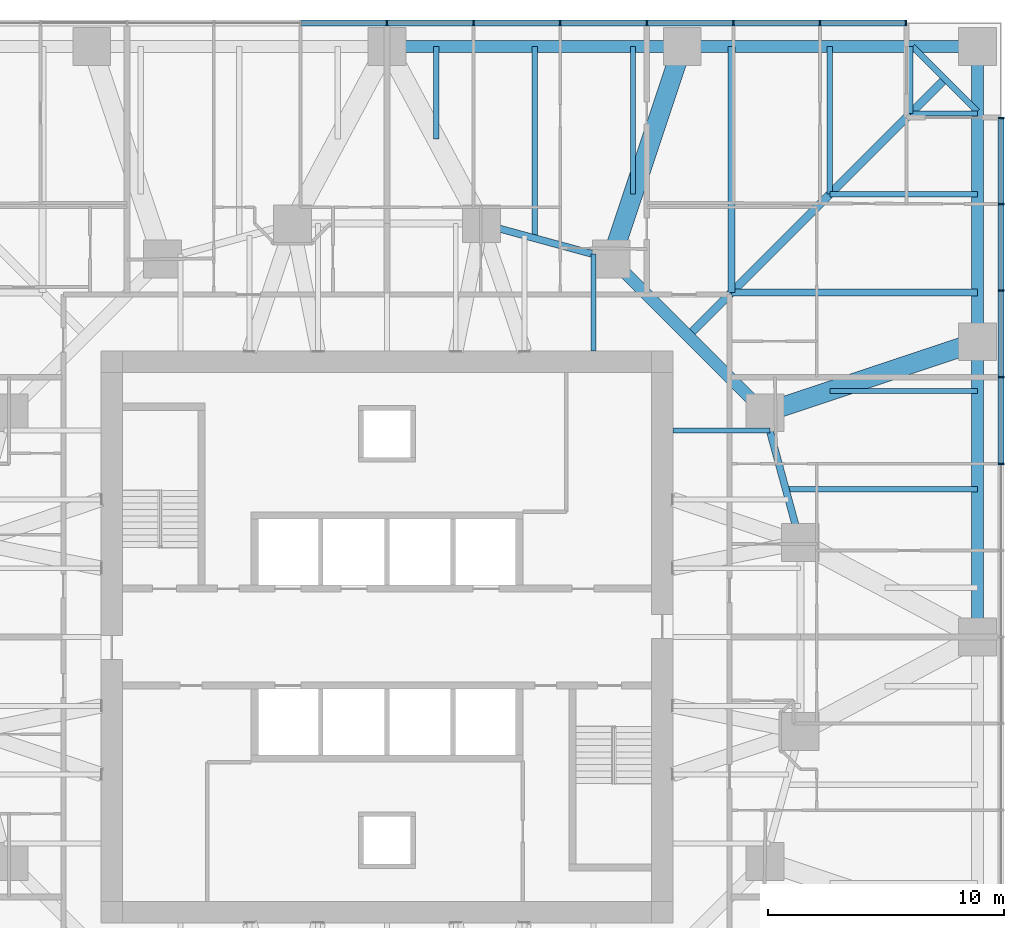
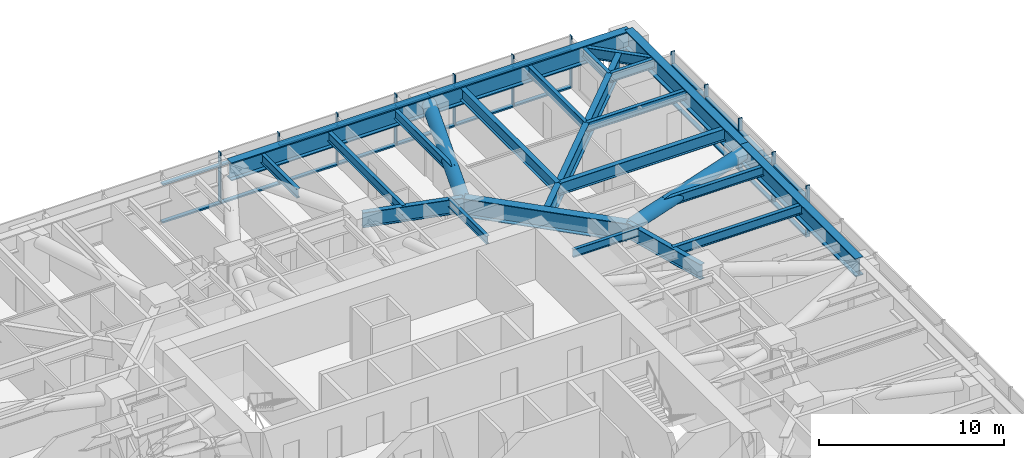
# One storey, part 7 of 17: 36 members, 22 beams, 2 elements without a shape of their own.
"""IFC4 building model written with IfcOpenShell, lengths in metres."""

import ifcopenshell
import ifcopenshell.guid

model = None  # the IFC model being written
_history = None  # IfcOwnerHistory: only IFC2X3 demands one
_inside = {}  # id of a spatial element -> (the spatial element, [elements in it])
_under = {}  # id of a project, library or spatial element -> (it, [spatial elements below it])
_declared = {}  # id of a project -> (the project, [libraries it declares])
_typed = {}  # id of a type object -> (the type object, [elements of that type])
_made_of = {}  # id of a material, layer set ... -> (it, [elements and type objects made of it])


def new_model(schema):
    """Start an empty IFC model of exactly this schema.

    Asked for "IFC4X3", IfcOpenShell would pick the latest addendum, in which some entities
    have other attributes; the version numbers below select the first issue.
    IFC2X3 requires an IfcOwnerHistory on every rooted entity: one is made here for all.
    """
    global model, _history
    if schema == "IFC4X3":
        model = ifcopenshell.file(schema_version=(4, 3, 0, 0))
    else:
        model = ifcopenshell.file(schema=schema)
    _inside.clear()
    _under.clear()
    _declared.clear()
    _typed.clear()
    _made_of.clear()
    _history = None
    if model.schema == "IFC2X3":
        org = make("IfcOrganization", Name="unknown")
        user = make(
            "IfcPersonAndOrganization",
            ThePerson=make("IfcPerson", FamilyName="unknown"),
            TheOrganization=org,
        )
        app = make(
            "IfcApplication",
            ApplicationDeveloper=org,
            Version="unknown",
            ApplicationFullName="unknown",
            ApplicationIdentifier="unknown",
        )
        _history = make(
            "IfcOwnerHistory",
            OwningUser=user,
            OwningApplication=app,
            ChangeAction="ADDED",
            CreationDate=0,
        )
    return model


def make(cls, **values):
    """One entity of the class cls with the attributes given. An attribute that is None is left unset."""
    return model.create_entity(
        cls, **{name: value for name, value in values.items() if value is not None}
    )


def rooted(cls, **values):
    """An entity with a GlobalId (a new one), such as an element, a storey or a relation."""
    return make(cls, GlobalId=ifcopenshell.guid.new(), OwnerHistory=_history, **values)


def si_unit(unit_type, name, prefix=None):
    """IfcSIUnit, for example si_unit("LENGTHUNIT", "METRE", prefix="MILLI")."""
    return make("IfcSIUnit", UnitType=unit_type, Prefix=prefix, Name=name)


def assignment(units):
    """IfcUnitAssignment: the units of a project."""
    return None if units is None else make("IfcUnitAssignment", Units=units)


def point(xyz):
    """IfcCartesianPoint."""
    return None if xyz is None else make("IfcCartesianPoint", Coordinates=xyz)


def direction(xyz):
    """IfcDirection."""
    return None if xyz is None else make("IfcDirection", DirectionRatios=xyz)


def frame(location, z_axis=None, x_axis=None):
    """IfcAxis2Placement3D, a coordinate frame: its origin and axes. An axis left out is left unset."""
    return make(
        "IfcAxis2Placement3D",
        Location=point(location),
        Axis=direction(z_axis),
        RefDirection=direction(x_axis),
    )


def frame_2d(location, x_axis=None):
    """IfcAxis2Placement2D, a coordinate frame in the plane: its origin and x axis."""
    return make(
        "IfcAxis2Placement2D", Location=point(location), RefDirection=direction(x_axis)
    )


def origin():
    """The frame at (0, 0, 0) with its axes left unset."""
    return frame((0.0, 0.0, 0.0))


def origin_2d():
    """The frame at (0, 0) in the plane with its x axis left unset."""
    return frame_2d((0.0, 0.0))


def place(relative_to, where):
    """IfcLocalPlacement: puts the frame where relative to a parent placement (None: the world)."""
    return make(
        "IfcLocalPlacement", PlacementRelTo=relative_to, RelativePlacement=where
    )


def context(
    kind, dimensions, precision=None, world=None, true_north=None, identifier=None
):
    """IfcGeometricRepresentationContext, for example the 3D "Model" context."""
    return make(
        "IfcGeometricRepresentationContext",
        ContextIdentifier=identifier,
        ContextType=kind,
        CoordinateSpaceDimension=dimensions,
        Precision=precision,
        WorldCoordinateSystem=world,
        TrueNorth=true_north,
    )


def subcontext(parent, identifier, kind, view, scale=None):
    """IfcGeometricRepresentationSubContext, for example "Body" below "Model"."""
    return make(
        "IfcGeometricRepresentationSubContext",
        ContextIdentifier=identifier,
        ContextType=kind,
        ParentContext=parent,
        TargetScale=scale,
        TargetView=view,
    )


def project(units=None, contexts=None):
    """IfcProject with its units and contexts."""
    return rooted(
        "IfcProject",
        Name="project",
        RepresentationContexts=contexts,
        UnitsInContext=assignment(units),
    )


def spatial(cls, under=None, at=None, **own):
    """A site, building, storey or space (cls), placed at a placement, below another one or the project."""
    s = rooted(cls, ObjectPlacement=at, **own)
    if under is not None:
        _under.setdefault(under.id(), (under, []))[1].append(s)
    return s


def profile(cls, at=None, kind="AREA", **sizes):
    """A parametric profile (cls). Its sizes go by their IFC names, for example OverallWidth=200.0."""
    return make(cls, ProfileType=kind, Position=at, **sizes)


def rectangle(**sizes):
    """IfcRectangleProfileDef."""
    return profile("IfcRectangleProfileDef", **sizes)


def hollow_circle(**sizes):
    """IfcCircleHollowProfileDef."""
    return profile("IfcCircleHollowProfileDef", **sizes)


def i_section(**sizes):
    """IfcIShapeProfileDef."""
    return profile("IfcIShapeProfileDef", **sizes)


def extrude(swept, where, along, depth):
    """IfcExtrudedAreaSolid: the profile swept, set in the frame where, extruded along a direction by depth."""
    return make(
        "IfcExtrudedAreaSolid",
        SweptArea=swept,
        Position=where,
        ExtrudedDirection=direction(along),
        Depth=depth,
    )


def shape(context_of_items, identifier, shape_type, items):
    """IfcShapeRepresentation: the items that make up one representation, for example the "Body"."""
    return make(
        "IfcShapeRepresentation",
        ContextOfItems=context_of_items,
        RepresentationIdentifier=identifier,
        RepresentationType=shape_type,
        Items=items,
    )


def material(Name=None, Category=None):
    """IfcMaterial."""
    return make("IfcMaterial", Name=Name, Category=Category)


def material_profile(
    of_material, cross_section, Name=None, Category=None, Priority=None
):
    """IfcMaterialProfile: a cross section and its material."""
    return make(
        "IfcMaterialProfile",
        Name=Name,
        Material=of_material,
        Profile=cross_section,
        Priority=Priority,
        Category=Category,
    )


def profile_set(profiles, Name=None, composite=None):
    """IfcMaterialProfileSet."""
    return make(
        "IfcMaterialProfileSet",
        Name=Name,
        MaterialProfiles=profiles,
        CompositeProfile=composite,
    )


def made_of(thing, what):
    """Note that an element or type object is made of a material, layer set ...; save() writes the relation."""
    if what is not None:
        _made_of.setdefault(what.id(), (what, []))[1].append(thing)
    return thing


def type_object(cls, material=None, **own):
    """A type object (cls), such as IfcWallType, which elements share."""
    return made_of(rooted(cls, **own), material)


def element(
    cls,
    number,
    at=None,
    inside=None,
    cuts=None,
    type_object=None,
    material=None,
    context=None,
    identifier="Body",
    shape_type=None,
    held_by="IfcProductDefinitionShape",
    body=None,
    shapes=None,
    **own,
):
    """One element of the class cls, such as IfcWall. Its Tag is "e" and its number.

    at: its placement. inside: the storey or other place that contains it. cuts: it is an
    opening in that element (IfcRelVoidsElement). A single representation is given by context,
    identifier, shape_type and body (its items); several are given by shapes. held_by: the class
    of the entity that holds the representations. save() writes the other relations.
    """
    e = rooted(cls, Tag="e%d" % number, ObjectPlacement=at, **own)
    if body is not None:
        shapes = [shape(context, identifier, shape_type, body)]
    if shapes is not None:
        e.Representation = make(held_by, Representations=shapes)
    if inside is not None:
        _inside.setdefault(inside.id(), (inside, []))[1].append(e)
    if cuts is not None:
        rooted(
            "IfcRelVoidsElement", RelatingBuildingElement=cuts, RelatedOpeningElement=e
        )
    if type_object is not None:
        _typed.setdefault(type_object.id(), (type_object, []))[1].append(e)
    return made_of(e, material)


def aggregate(whole, parts):
    """IfcRelAggregates: a whole, such as a stair, and the parts it consists of."""
    return rooted("IfcRelAggregates", RelatingObject=whole, RelatedObjects=parts)


def save(model, path):
    """Write the relations noted so far, then the file.

    IfcRelAggregates (storeys below a building ...), IfcRelContainedInSpatialStructure (elements
    in a storey), IfcRelDefinesByType, IfcRelAssociatesMaterial and IfcRelDeclares: one each for
    every whole, place, type object, material and project.
    """
    for whole, parts in _under.values():
        aggregate(whole, parts)
    for where, things in _inside.values():
        rooted(
            "IfcRelContainedInSpatialStructure",
            RelatedElements=things,
            RelatingStructure=where,
        )
    for kind, things in _typed.values():
        rooted("IfcRelDefinesByType", RelatedObjects=things, RelatingType=kind)
    for what, things in _made_of.values():
        rooted("IfcRelAssociatesMaterial", RelatedObjects=things, RelatingMaterial=what)
    for by, libraries in _declared.values():
        rooted("IfcRelDeclares", RelatingContext=by, RelatedDefinitions=libraries)
    model.write(path)


model = new_model("IFC4")

# Units and contexts
model_context = context("Model", 3, precision=1e-05, world=origin(), true_north=direction((0.0, 1.0)))
body_context = subcontext(model_context, "Body", "Model", "MODEL_VIEW")
ifc_project = project(units=[si_unit("LENGTHUNIT", "METRE"), si_unit("AREAUNIT", "SQUARE_METRE"), si_unit("VOLUMEUNIT", "CUBIC_METRE"), si_unit("PLANEANGLEUNIT", "RADIAN"), si_unit("MASSUNIT", "GRAM", prefix="KILO")], contexts=[model_context])

# Site, building, storey
site_placement = place(None, origin())
site = spatial("IfcSite", under=ifc_project, at=site_placement, CompositionType="ELEMENT")
building_placement = place(site_placement, origin())
building = spatial("IfcBuilding", under=site, at=building_placement, Name="Torsade Residences", CompositionType="ELEMENT")
storey_placement = place(building_placement, frame((0.0, 0.0, 38.800048828125)))
storey = spatial("IfcBuildingStorey", under=building, at=storey_placement, Name="L10", CompositionType="ELEMENT", Elevation=38.800048828125)

# Beams
ifc_material_1 = material(Name="Steel grade 300", Category="steel")
ifc_material_profile_1 = material_profile(ifc_material_1, i_section(OverallWidth=0.35009765625, OverallDepth=1.199951171875, WebThickness=0.01611328125, FlangeThickness=0.028076171875, at=origin_2d()), Name="1200WB278")
ifc_profile_set_1 = profile_set([ifc_material_profile_1], Name="Steel grade 300")
beam_type_1 = type_object("IfcBeamType", Name="CORNER GIRDER 1200WB278", PredefinedType="BEAM", material=ifc_profile_set_1)
beam_1_placement = place(storey_placement, frame((63.625, 53.625, 2.599853515625), z_axis=(-0.707106781187, -0.707106781187, 0.0), x_axis=(0.707106781187, -0.707106781187, 0.0)))
element("IfcBeam", 1, at=beam_1_placement, inside=storey, type_object=beam_type_1, Name="Corner girder 09 L11", PredefinedType="BEAM", context=body_context, shape_type="SweptSolid", body=[
    extrude(i_section(OverallWidth=0.35009765625, OverallDepth=1.199951171875, WebThickness=0.01611328125, FlangeThickness=0.028076171875, at=origin_2d()), origin(), (0.0, 0.0, 1.0), 15.379638671875),
])
ifc_material_2 = material(Name="Steel grade 300", Category="steel")
ifc_material_profile_2 = material_profile(ifc_material_2, i_section(OverallWidth=0.25, OverallDepth=0.699951171875, WebThickness=0.010009765625, FlangeThickness=0.02001953125, at=origin_2d()), Name="700WB130")
ifc_profile_set_2 = profile_set([ifc_material_profile_2], Name="Steel grade 300")
beam_type_2 = type_object("IfcBeamType", Name="CORNER TRIMMER 700WB130", PredefinedType="BEAM", material=ifc_profile_set_2)
beam_2_placement = place(storey_placement, frame((62.25, 55.0, 2.849853515625), z_axis=(0.707106781187, -0.707106781187, 0.0), x_axis=(0.707106781187, 0.707106781187, 0.0)))
element("IfcBeam", 2, at=beam_2_placement, inside=storey, type_object=beam_type_2, Name="Corner trimmer 09 L11", PredefinedType="BEAM", context=body_context, shape_type="SweptSolid", body=[
    extrude(i_section(OverallWidth=0.25, OverallDepth=0.699951171875, WebThickness=0.010009765625, FlangeThickness=0.02001953125, at=origin_2d()), origin(), (0.0, 0.0, 1.0), 3.88916015625),
])

# Curtain wall, members
ifc_material_3 = material(Name="Aluminium and glass", Category="aluminium")
curtain_wall_type = type_object("IfcCurtainWallType", Name="FRITTED GLASS CURTAIN WALL LOW ZONE", PredefinedType="NOTDEFINED", material=ifc_material_3)
curtain_wall_1_placement = place(storey_placement, origin())
curtain_wall_1 = element("IfcCurtainWall", 3, at=curtain_wall_1_placement, inside=storey, type_object=curtain_wall_type, Name="Curtain wall L10 face 4", PredefinedType="NOTDEFINED")
ifc_material_4 = material(Name="Aluminium mullion", Category="aluminium")
ifc_material_profile_3 = material_profile(ifc_material_4, rectangle(XDim=0.25, YDim=0.06494140625, at=origin_2d()), Name="CURTAIN WALL MULLION 250x65")
ifc_profile_set_3 = profile_set([ifc_material_profile_3], Name="Aluminium mullion")
member_type_1 = type_object("IfcMemberType", Name="CURTAIN WALL MULLION 250x65", PredefinedType="MULLION", material=ifc_profile_set_3)
member_1_placement = place(storey_placement, frame((66.0, 37.333251953125, 0.0), z_axis=(0.0, 0.0, 1.0), x_axis=(-1.0, 0.0, 0.0)))
member_1 = element("IfcMember", 4, at=member_1_placement, type_object=member_type_1, Name="Mullion 9", PredefinedType="MULLION", context=body_context, shape_type="SweptSolid", body=[
    extrude(rectangle(XDim=0.25, YDim=0.06494140625, at=origin_2d()), origin(), (0.0, 0.0, 1.0), 3.39990234375),
])
member_2_placement = place(storey_placement, frame((66.0, 41.0, 0.0), z_axis=(0.0, 0.0, 1.0), x_axis=(-1.0, 0.0, 0.0)))
member_2 = element("IfcMember", 5, at=member_2_placement, type_object=member_type_1, Name="Mullion 10", PredefinedType="MULLION", context=body_context, shape_type="SweptSolid", body=[
    extrude(rectangle(XDim=0.25, YDim=0.06494140625, at=origin_2d()), origin(), (0.0, 0.0, 1.0), 3.39990234375),
])
member_3_placement = place(storey_placement, frame((66.0, 44.666748046875, 0.0), z_axis=(0.0, 0.0, 1.0), x_axis=(-1.0, 0.0, 0.0)))
member_3 = element("IfcMember", 6, at=member_3_placement, type_object=member_type_1, Name="Mullion 11", PredefinedType="MULLION", context=body_context, shape_type="SweptSolid", body=[
    extrude(rectangle(XDim=0.25, YDim=0.06494140625, at=origin_2d()), origin(), (0.0, 0.0, 1.0), 3.39990234375),
])
member_4_placement = place(storey_placement, frame((66.0, 48.333251953125, 0.0), z_axis=(0.0, 0.0, 1.0), x_axis=(-1.0, 0.0, 0.0)))
member_4 = element("IfcMember", 7, at=member_4_placement, type_object=member_type_1, Name="Mullion 12", PredefinedType="MULLION", context=body_context, shape_type="SweptSolid", body=[
    extrude(rectangle(XDim=0.25, YDim=0.06494140625, at=origin_2d()), origin(), (0.0, 0.0, 1.0), 3.39990234375),
])
member_5_placement = place(storey_placement, frame((66.0, 51.967529296875, 0.0), z_axis=(0.0, 0.0, 1.0), x_axis=(-1.0, 0.0, 0.0)))
member_5 = element("IfcMember", 8, at=member_5_placement, type_object=member_type_1, Name="Mullion 13", PredefinedType="MULLION", context=body_context, shape_type="SweptSolid", body=[
    extrude(rectangle(XDim=0.25, YDim=0.06494140625, at=origin_2d()), origin(), (0.0, 0.0, 1.0), 3.39990234375),
])

curtain_wall_2_placement = place(storey_placement, origin())
curtain_wall_2 = element("IfcCurtainWall", 9, at=curtain_wall_2_placement, inside=storey, type_object=curtain_wall_type, Name="Curtain wall L10 face 7", PredefinedType="NOTDEFINED")
member_6_placement = place(storey_placement, frame((61.967529296875, 56.0, 0.0), z_axis=(0.0, 0.0, 1.0), x_axis=(0.0, -1.0, 0.0)))
member_6 = element("IfcMember", 10, at=member_6_placement, type_object=member_type_1, Name="Mullion 1", PredefinedType="MULLION", context=body_context, shape_type="SweptSolid", body=[
    extrude(rectangle(XDim=0.25, YDim=0.06494140625, at=origin_2d()), origin(), (0.0, 0.0, 1.0), 3.39990234375),
])
member_7_placement = place(storey_placement, frame((58.333251953125, 56.0, 0.0), z_axis=(0.0, 0.0, 1.0), x_axis=(0.0, -1.0, 0.0)))
member_7 = element("IfcMember", 11, at=member_7_placement, type_object=member_type_1, Name="Mullion 2", PredefinedType="MULLION", context=body_context, shape_type="SweptSolid", body=[
    extrude(rectangle(XDim=0.25, YDim=0.06494140625, at=origin_2d()), origin(), (0.0, 0.0, 1.0), 3.39990234375),
])
member_8_placement = place(storey_placement, frame((54.666748046875, 56.0, 0.0), z_axis=(0.0, 0.0, 1.0), x_axis=(0.0, -1.0, 0.0)))
member_8 = element("IfcMember", 12, at=member_8_placement, type_object=member_type_1, Name="Mullion 3", PredefinedType="MULLION", context=body_context, shape_type="SweptSolid", body=[
    extrude(rectangle(XDim=0.25, YDim=0.06494140625, at=origin_2d()), origin(), (0.0, 0.0, 1.0), 3.39990234375),
])
member_9_placement = place(storey_placement, frame((51.0, 56.0, 0.0), z_axis=(0.0, 0.0, 1.0), x_axis=(0.0, -1.0, 0.0)))
member_9 = element("IfcMember", 13, at=member_9_placement, type_object=member_type_1, Name="Mullion 4", PredefinedType="MULLION", context=body_context, shape_type="SweptSolid", body=[
    extrude(rectangle(XDim=0.25, YDim=0.06494140625, at=origin_2d()), origin(), (0.0, 0.0, 1.0), 3.39990234375),
])
member_10_placement = place(storey_placement, frame((47.333251953125, 56.0, 0.0), z_axis=(0.0, 0.0, 1.0), x_axis=(0.0, -1.0, 0.0)))
member_10 = element("IfcMember", 14, at=member_10_placement, type_object=member_type_1, Name="Mullion 5", PredefinedType="MULLION", context=body_context, shape_type="SweptSolid", body=[
    extrude(rectangle(XDim=0.25, YDim=0.06494140625, at=origin_2d()), origin(), (0.0, 0.0, 1.0), 3.39990234375),
])
member_11_placement = place(storey_placement, frame((43.666748046875, 56.0, 0.0), z_axis=(0.0, 0.0, 1.0), x_axis=(0.0, -1.0, 0.0)))
member_11 = element("IfcMember", 15, at=member_11_placement, type_object=member_type_1, Name="Mullion 6", PredefinedType="MULLION", context=body_context, shape_type="SweptSolid", body=[
    extrude(rectangle(XDim=0.25, YDim=0.06494140625, at=origin_2d()), origin(), (0.0, 0.0, 1.0), 3.39990234375),
])
member_12_placement = place(storey_placement, frame((40.0, 56.0, 0.0), z_axis=(0.0, 0.0, 1.0), x_axis=(0.0, -1.0, 0.0)))
member_12 = element("IfcMember", 16, at=member_12_placement, type_object=member_type_1, Name="Mullion 7", PredefinedType="MULLION", context=body_context, shape_type="SweptSolid", body=[
    extrude(rectangle(XDim=0.25, YDim=0.06494140625, at=origin_2d()), origin(), (0.0, 0.0, 1.0), 3.39990234375),
])

# Member
ifc_material_5 = material(Name="Aluminium transom", Category="aluminium")
ifc_material_profile_4 = material_profile(ifc_material_5, rectangle(XDim=0.25, YDim=0.10009765625, at=origin_2d()), Name="CURTAIN WALL TRANSOM 250x100")
ifc_profile_set_4 = profile_set([ifc_material_profile_4], Name="Aluminium transom")
member_type_2 = type_object("IfcMemberType", Name="CURTAIN WALL TRANSOM 250x100", PredefinedType="USERDEFINED", material=ifc_profile_set_4)
member_13_placement = place(storey_placement, frame((66.0, 37.36572265625, 0.050048828125), z_axis=(0.0, 1.0, 0.0), x_axis=(-1.0, 0.0, 0.0)))
member_13 = element("IfcMember", 17, at=member_13_placement, type_object=member_type_2, Name="Transom 9.1", ObjectType="TRANSOM", PredefinedType="USERDEFINED", context=body_context, shape_type="SweptSolid", body=[
    extrude(rectangle(XDim=0.25, YDim=0.10009765625, at=origin_2d()), origin(), (0.0, 0.0, 1.0), 3.601806640625),
])

member_14_placement = place(storey_placement, frame((66.0, 37.36572265625, 2.550048828125), z_axis=(0.0, 1.0, 0.0), x_axis=(-1.0, 0.0, 0.0)))
member_14 = element("IfcMember", 18, at=member_14_placement, type_object=member_type_2, Name="Transom 9.2", ObjectType="TRANSOM", PredefinedType="USERDEFINED", context=body_context, shape_type="SweptSolid", body=[
    extrude(rectangle(XDim=0.25, YDim=0.10009765625, at=origin_2d()), origin(), (0.0, 0.0, 1.0), 3.601806640625),
])

member_15_placement = place(storey_placement, frame((66.0, 41.032470703125, 0.050048828125), z_axis=(0.0, 1.0, 0.0), x_axis=(-1.0, 0.0, 0.0)))
member_15 = element("IfcMember", 19, at=member_15_placement, type_object=member_type_2, Name="Transom 10.1", ObjectType="TRANSOM", PredefinedType="USERDEFINED", context=body_context, shape_type="SweptSolid", body=[
    extrude(rectangle(XDim=0.25, YDim=0.10009765625, at=origin_2d()), origin(), (0.0, 0.0, 1.0), 3.601806640625),
])

member_16_placement = place(storey_placement, frame((66.0, 41.032470703125, 2.550048828125), z_axis=(0.0, 1.0, 0.0), x_axis=(-1.0, 0.0, 0.0)))
member_16 = element("IfcMember", 20, at=member_16_placement, type_object=member_type_2, Name="Transom 10.2", ObjectType="TRANSOM", PredefinedType="USERDEFINED", context=body_context, shape_type="SweptSolid", body=[
    extrude(rectangle(XDim=0.25, YDim=0.10009765625, at=origin_2d()), origin(), (0.0, 0.0, 1.0), 3.601806640625),
])

member_17_placement = place(storey_placement, frame((66.0, 44.69921875, 0.050048828125), z_axis=(0.0, 1.0, 0.0), x_axis=(-1.0, 0.0, 0.0)))
member_17 = element("IfcMember", 21, at=member_17_placement, type_object=member_type_2, Name="Transom 11.1", ObjectType="TRANSOM", PredefinedType="USERDEFINED", context=body_context, shape_type="SweptSolid", body=[
    extrude(rectangle(XDim=0.25, YDim=0.10009765625, at=origin_2d()), origin(), (0.0, 0.0, 1.0), 3.6015625),
])

member_18_placement = place(storey_placement, frame((66.0, 44.69921875, 2.550048828125), z_axis=(0.0, 1.0, 0.0), x_axis=(-1.0, 0.0, 0.0)))
member_18 = element("IfcMember", 22, at=member_18_placement, type_object=member_type_2, Name="Transom 11.2", ObjectType="TRANSOM", PredefinedType="USERDEFINED", context=body_context, shape_type="SweptSolid", body=[
    extrude(rectangle(XDim=0.25, YDim=0.10009765625, at=origin_2d()), origin(), (0.0, 0.0, 1.0), 3.6015625),
])

member_19_placement = place(storey_placement, frame((66.0, 48.36572265625, 0.050048828125), z_axis=(0.0, 1.0, 0.0), x_axis=(-1.0, 0.0, 0.0)))
member_19 = element("IfcMember", 23, at=member_19_placement, type_object=member_type_2, Name="Transom 12.1", ObjectType="TRANSOM", PredefinedType="USERDEFINED", context=body_context, shape_type="SweptSolid", body=[
    extrude(rectangle(XDim=0.25, YDim=0.10009765625, at=origin_2d()), origin(), (0.0, 0.0, 1.0), 3.5693359375),
])

member_20_placement = place(storey_placement, frame((66.0, 48.36572265625, 2.550048828125), z_axis=(0.0, 1.0, 0.0), x_axis=(-1.0, 0.0, 0.0)))
member_20 = element("IfcMember", 24, at=member_20_placement, type_object=member_type_2, Name="Transom 12.2", ObjectType="TRANSOM", PredefinedType="USERDEFINED", context=body_context, shape_type="SweptSolid", body=[
    extrude(rectangle(XDim=0.25, YDim=0.10009765625, at=origin_2d()), origin(), (0.0, 0.0, 1.0), 3.5693359375),
])

aggregate(curtain_wall_1, [member_1, member_2, member_3, member_4, member_5, member_13, member_14, member_15, member_16, member_17, member_18, member_19, member_20])

member_21_placement = place(storey_placement, frame((61.93505859375, 56.0, 0.050048828125), z_axis=(-1.0, 0.0, 0.0), x_axis=(0.0, -1.0, 0.0)))
member_21 = element("IfcMember", 25, at=member_21_placement, type_object=member_type_2, Name="Transom 1.1", ObjectType="TRANSOM", PredefinedType="USERDEFINED", context=body_context, shape_type="SweptSolid", body=[
    extrude(rectangle(XDim=0.25, YDim=0.10009765625, at=origin_2d()), origin(), (0.0, 0.0, 1.0), 3.5693359375),
])

member_22_placement = place(storey_placement, frame((61.93505859375, 56.0, 2.550048828125), z_axis=(-1.0, 0.0, 0.0), x_axis=(0.0, -1.0, 0.0)))
member_22 = element("IfcMember", 26, at=member_22_placement, type_object=member_type_2, Name="Transom 1.2", ObjectType="TRANSOM", PredefinedType="USERDEFINED", context=body_context, shape_type="SweptSolid", body=[
    extrude(rectangle(XDim=0.25, YDim=0.10009765625, at=origin_2d()), origin(), (0.0, 0.0, 1.0), 3.5693359375),
])

member_23_placement = place(storey_placement, frame((58.30078125, 56.0, 0.050048828125), z_axis=(-1.0, 0.0, 0.0), x_axis=(0.0, -1.0, 0.0)))
member_23 = element("IfcMember", 27, at=member_23_placement, type_object=member_type_2, Name="Transom 2.1", ObjectType="TRANSOM", PredefinedType="USERDEFINED", context=body_context, shape_type="SweptSolid", body=[
    extrude(rectangle(XDim=0.25, YDim=0.10009765625, at=origin_2d()), origin(), (0.0, 0.0, 1.0), 3.6015625),
])

member_24_placement = place(storey_placement, frame((58.30078125, 56.0, 2.550048828125), z_axis=(-1.0, 0.0, 0.0), x_axis=(0.0, -1.0, 0.0)))
member_24 = element("IfcMember", 28, at=member_24_placement, type_object=member_type_2, Name="Transom 2.2", ObjectType="TRANSOM", PredefinedType="USERDEFINED", context=body_context, shape_type="SweptSolid", body=[
    extrude(rectangle(XDim=0.25, YDim=0.10009765625, at=origin_2d()), origin(), (0.0, 0.0, 1.0), 3.6015625),
])

member_25_placement = place(storey_placement, frame((54.63427734375, 56.0, 0.050048828125), z_axis=(-1.0, 0.0, 0.0), x_axis=(0.0, -1.0, 0.0)))
member_25 = element("IfcMember", 29, at=member_25_placement, type_object=member_type_2, Name="Transom 3.1", ObjectType="TRANSOM", PredefinedType="USERDEFINED", context=body_context, shape_type="SweptSolid", body=[
    extrude(rectangle(XDim=0.25, YDim=0.10009765625, at=origin_2d()), origin(), (0.0, 0.0, 1.0), 3.601806640625),
])

member_26_placement = place(storey_placement, frame((54.63427734375, 56.0, 2.550048828125), z_axis=(-1.0, 0.0, 0.0), x_axis=(0.0, -1.0, 0.0)))
member_26 = element("IfcMember", 30, at=member_26_placement, type_object=member_type_2, Name="Transom 3.2", ObjectType="TRANSOM", PredefinedType="USERDEFINED", context=body_context, shape_type="SweptSolid", body=[
    extrude(rectangle(XDim=0.25, YDim=0.10009765625, at=origin_2d()), origin(), (0.0, 0.0, 1.0), 3.601806640625),
])

member_27_placement = place(storey_placement, frame((50.967529296875, 56.0, 0.050048828125), z_axis=(-1.0, 0.0, 0.0), x_axis=(0.0, -1.0, 0.0)))
member_27 = element("IfcMember", 31, at=member_27_placement, type_object=member_type_2, Name="Transom 4.1", ObjectType="TRANSOM", PredefinedType="USERDEFINED", context=body_context, shape_type="SweptSolid", body=[
    extrude(rectangle(XDim=0.25, YDim=0.10009765625, at=origin_2d()), origin(), (0.0, 0.0, 1.0), 3.601806640625),
])

member_28_placement = place(storey_placement, frame((50.967529296875, 56.0, 2.550048828125), z_axis=(-1.0, 0.0, 0.0), x_axis=(0.0, -1.0, 0.0)))
member_28 = element("IfcMember", 32, at=member_28_placement, type_object=member_type_2, Name="Transom 4.2", ObjectType="TRANSOM", PredefinedType="USERDEFINED", context=body_context, shape_type="SweptSolid", body=[
    extrude(rectangle(XDim=0.25, YDim=0.10009765625, at=origin_2d()), origin(), (0.0, 0.0, 1.0), 3.601806640625),
])

member_29_placement = place(storey_placement, frame((47.30078125, 56.0, 0.050048828125), z_axis=(-1.0, 0.0, 0.0), x_axis=(0.0, -1.0, 0.0)))
member_29 = element("IfcMember", 33, at=member_29_placement, type_object=member_type_2, Name="Transom 5.1", ObjectType="TRANSOM", PredefinedType="USERDEFINED", context=body_context, shape_type="SweptSolid", body=[
    extrude(rectangle(XDim=0.25, YDim=0.10009765625, at=origin_2d()), origin(), (0.0, 0.0, 1.0), 3.6015625),
])

member_30_placement = place(storey_placement, frame((47.30078125, 56.0, 2.550048828125), z_axis=(-1.0, 0.0, 0.0), x_axis=(0.0, -1.0, 0.0)))
member_30 = element("IfcMember", 34, at=member_30_placement, type_object=member_type_2, Name="Transom 5.2", ObjectType="TRANSOM", PredefinedType="USERDEFINED", context=body_context, shape_type="SweptSolid", body=[
    extrude(rectangle(XDim=0.25, YDim=0.10009765625, at=origin_2d()), origin(), (0.0, 0.0, 1.0), 3.6015625),
])

member_31_placement = place(storey_placement, frame((43.63427734375, 56.0, 0.050048828125), z_axis=(-1.0, 0.0, 0.0), x_axis=(0.0, -1.0, 0.0)))
member_31 = element("IfcMember", 35, at=member_31_placement, type_object=member_type_2, Name="Transom 6.1", ObjectType="TRANSOM", PredefinedType="USERDEFINED", context=body_context, shape_type="SweptSolid", body=[
    extrude(rectangle(XDim=0.25, YDim=0.10009765625, at=origin_2d()), origin(), (0.0, 0.0, 1.0), 3.601806640625),
])

member_32_placement = place(storey_placement, frame((43.63427734375, 56.0, 2.550048828125), z_axis=(-1.0, 0.0, 0.0), x_axis=(0.0, -1.0, 0.0)))
member_32 = element("IfcMember", 36, at=member_32_placement, type_object=member_type_2, Name="Transom 6.2", ObjectType="TRANSOM", PredefinedType="USERDEFINED", context=body_context, shape_type="SweptSolid", body=[
    extrude(rectangle(XDim=0.25, YDim=0.10009765625, at=origin_2d()), origin(), (0.0, 0.0, 1.0), 3.601806640625),
])

member_33_placement = place(storey_placement, frame((39.967529296875, 56.0, 0.050048828125), z_axis=(-1.0, 0.0, 0.0), x_axis=(0.0, -1.0, 0.0)))
member_33 = element("IfcMember", 37, at=member_33_placement, type_object=member_type_2, Name="Transom 7.1", ObjectType="TRANSOM", PredefinedType="USERDEFINED", context=body_context, shape_type="SweptSolid", body=[
    extrude(rectangle(XDim=0.25, YDim=0.10009765625, at=origin_2d()), origin(), (0.0, 0.0, 1.0), 3.601806640625),
])

member_34_placement = place(storey_placement, frame((39.967529296875, 56.0, 2.550048828125), z_axis=(-1.0, 0.0, 0.0), x_axis=(0.0, -1.0, 0.0)))
member_34 = element("IfcMember", 38, at=member_34_placement, type_object=member_type_2, Name="Transom 7.2", ObjectType="TRANSOM", PredefinedType="USERDEFINED", context=body_context, shape_type="SweptSolid", body=[
    extrude(rectangle(XDim=0.25, YDim=0.10009765625, at=origin_2d()), origin(), (0.0, 0.0, 1.0), 3.601806640625),
])

aggregate(curtain_wall_2, [member_6, member_7, member_8, member_9, member_10, member_11, member_12, member_21, member_22, member_23, member_24, member_25, member_26, member_27, member_28, member_29, member_30, member_31, member_32, member_33, member_34])

# Beams
ifc_material_6 = material(Name="Steel grade 300", Category="steel")
ifc_material_profile_5 = material_profile(ifc_material_6, i_section(OverallWidth=0.208984375, OverallDepth=0.528076171875, WebThickness=0.009521484375, FlangeThickness=0.01318359375, FilletRadius=0.013916015625, at=origin_2d()), Name="530UB82.0")
ifc_profile_set_5 = profile_set([ifc_material_profile_5], Name="Steel grade 300")
beam_type_3 = type_object("IfcBeamType", Name="INNER FLOOR BEAM 530UB82.0", PredefinedType="JOIST", material=ifc_profile_set_5)
for number, where, z_axis, x_axis, name in (
    (39, (48.737548828125, 42.10009765625, 2.93603515625), (0.0, 1.0, 0.0), (-1.0, 0.0, 0.0), "Inner floor beam IN07 L11"),
    (40, (52.10009765625, 38.737548828125, 2.93603515625), (1.0, 0.0, 0.0), (0.0, 1.0, 0.0), "Inner floor beam IE07 L11"),
):
    element("IfcBeam", number, at=place(storey_placement, frame(where, z_axis=z_axis, x_axis=x_axis)), inside=storey, type_object=beam_type_3, Name=name, PredefinedType="JOIST", context=body_context, shape_type="SweptSolid", body=[
        extrude(i_section(OverallWidth=0.208984375, OverallDepth=0.528076171875, WebThickness=0.009521484375, FlangeThickness=0.01318359375, FilletRadius=0.013916015625, at=origin_2d()), origin(), (0.0, 0.0, 1.0), 4.10791015625),
    ])
ifc_material_7 = material(Name="Steel grade 300", Category="steel")
ifc_material_profile_6 = material_profile(ifc_material_7, i_section(OverallWidth=0.5, OverallDepth=1.199951171875, WebThickness=0.01611328125, FlangeThickness=0.0400390625, at=origin_2d()), Name="1200WB455")
ifc_profile_set_6 = profile_set([ifc_material_profile_6], Name="Steel grade 300")
beam_type_4 = type_object("IfcBeamType", Name="RING CORNER GIRDER 1200WB455", PredefinedType="BEAM", material=ifc_profile_set_6)
beam_3_placement = place(storey_placement, frame((56.0, 39.5, 2.599853515625), z_axis=(-0.707106781187, 0.707106781187, 0.0), x_axis=(-0.707106781187, -0.707106781187, 0.0)))
element("IfcBeam", 41, at=beam_3_placement, inside=storey, type_object=beam_type_4, Name="Ring girder IR03 L11", PredefinedType="BEAM", context=body_context, shape_type="SweptSolid", body=[
    extrude(i_section(OverallWidth=0.5, OverallDepth=1.199951171875, WebThickness=0.01611328125, FlangeThickness=0.0400390625, at=origin_2d()), origin(), (0.0, 0.0, 1.0), 9.1923828125),
])
ifc_material_8 = material(Name="Steel grade 300", Category="steel")
ifc_material_profile_7 = material_profile(ifc_material_8, i_section(OverallWidth=0.300048828125, OverallDepth=1.0, WebThickness=0.01611328125, FlangeThickness=0.028076171875, at=origin_2d()), Name="1000WB215")
ifc_profile_set_7 = profile_set([ifc_material_profile_7], Name="Steel grade 300")
beam_type_5 = type_object("IfcBeamType", Name="RING GIRDER 1000WB215", PredefinedType="BEAM", material=ifc_profile_set_7)
for number, where, z_axis, x_axis, name in (
    (42, (57.5, 34.0, 2.699951171875), (-0.263117405792, 0.964763821238, 0.0), (-0.964763821238, -0.263117405792, 0.0), "Ring girder IR02 L11"),
    (43, (49.5, 46.0, 2.699951171875), (-0.964763821238, 0.263117405792, 0.0), (-0.263117405792, -0.964763821238, 0.0), "Ring girder IR04 L11"),
):
    element("IfcBeam", number, at=place(storey_placement, frame(where, z_axis=z_axis, x_axis=x_axis)), inside=storey, type_object=beam_type_5, Name=name, PredefinedType="BEAM", context=body_context, shape_type="SweptSolid", body=[
        extrude(i_section(OverallWidth=0.300048828125, OverallDepth=1.0, WebThickness=0.01611328125, FlangeThickness=0.028076171875, at=origin_2d()), origin(), (0.0, 0.0, 1.0), 5.700927734375),
    ])
ifc_material_9 = material(Name="Steel grade 300", Category="steel")
ifc_material_profile_8 = material_profile(ifc_material_9, i_section(OverallWidth=0.22900390625, OverallDepth=0.612060546875, WebThickness=0.011962890625, FlangeThickness=0.01953125, FilletRadius=0.013916015625, at=origin_2d()), Name="610UB125")
ifc_profile_set_8 = profile_set([ifc_material_profile_8], Name="Steel grade 300")
beam_type_6 = type_object("IfcBeamType", Name="SECONDARY BEAM 610UB125", PredefinedType="JOIST", material=ifc_profile_set_8)
beam_4_placement = place(storey_placement, frame((65.0, 36.25, 2.89404296875), z_axis=(-1.0, 0.0, 0.0), x_axis=(0.0, -1.0, 0.0)))
element("IfcBeam", 44, at=beam_4_placement, inside=storey, type_object=beam_type_6, Name="Floor beam FE08 L11", PredefinedType="JOIST", context=body_context, shape_type="SweptSolid", body=[
    extrude(i_section(OverallWidth=0.22900390625, OverallDepth=0.612060546875, WebThickness=0.011962890625, FlangeThickness=0.01953125, FilletRadius=0.013916015625, at=origin_2d()), origin(), (0.0, 0.0, 1.0), 8.113525390625),
])
for number, where, z_axis, x_axis, name in (
    (45, (65.0, 40.416748046875, 2.89404296875), (-1.0, 0.0, 0.0), (0.0, -1.0, 0.0), "Floor beam FE09 L11"),
    (46, (65.0, 48.75, 2.89404296875), (-1.0, 0.0, 0.0), (0.0, -1.0, 0.0), "Floor beam FE11 L11"),
):
    element("IfcBeam", number, at=place(storey_placement, frame(where, z_axis=z_axis, x_axis=x_axis)), inside=storey, type_object=beam_type_6, Name=name, PredefinedType="JOIST", context=body_context, shape_type="SweptSolid", body=[
        extrude(i_section(OverallWidth=0.22900390625, OverallDepth=0.612060546875, WebThickness=0.011962890625, FlangeThickness=0.01953125, FilletRadius=0.013916015625, at=origin_2d()), origin(), (0.0, 0.0, 1.0), 6.25),
    ])
for number, where, z_axis, x_axis, name in (
    (47, (65.0, 52.166748046875, 2.89404296875), (-1.0, 0.0, 0.0), (0.0, -1.0, 0.0), "Floor beam FE12 L11"),
    (48, (62.166748046875, 55.0, 2.89404296875), (0.0, -1.0, 0.0), (1.0, 0.0, 0.0), "Floor beam FN01 L11"),
):
    element("IfcBeam", number, at=place(storey_placement, frame(where, z_axis=z_axis, x_axis=x_axis)), inside=storey, type_object=beam_type_6, Name=name, PredefinedType="JOIST", context=body_context, shape_type="SweptSolid", body=[
        extrude(i_section(OverallWidth=0.22900390625, OverallDepth=0.612060546875, WebThickness=0.011962890625, FlangeThickness=0.01953125, FilletRadius=0.013916015625, at=origin_2d()), origin(), (0.0, 0.0, 1.0), 2.833251953125),
    ])
for number, where, z_axis, x_axis, name in (
    (49, (58.75, 55.0, 2.89404296875), (0.0, -1.0, 0.0), (1.0, 0.0, 0.0), "Floor beam FN02 L11"),
    (50, (50.416748046875, 55.0, 2.89404296875), (0.0, -1.0, 0.0), (1.0, 0.0, 0.0), "Floor beam FN04 L11"),
):
    element("IfcBeam", number, at=place(storey_placement, frame(where, z_axis=z_axis, x_axis=x_axis)), inside=storey, type_object=beam_type_6, Name=name, PredefinedType="JOIST", context=body_context, shape_type="SweptSolid", body=[
        extrude(i_section(OverallWidth=0.22900390625, OverallDepth=0.612060546875, WebThickness=0.011962890625, FlangeThickness=0.01953125, FilletRadius=0.013916015625, at=origin_2d()), origin(), (0.0, 0.0, 1.0), 6.25),
    ])
beam_5_placement = place(storey_placement, frame((46.25, 55.0, 2.89404296875), z_axis=(0.0, -1.0, 0.0), x_axis=(1.0, 0.0, 0.0)))
element("IfcBeam", 51, at=beam_5_placement, inside=storey, type_object=beam_type_6, Name="Floor beam FN05 L11", PredefinedType="JOIST", context=body_context, shape_type="SweptSolid", body=[
    extrude(i_section(OverallWidth=0.22900390625, OverallDepth=0.612060546875, WebThickness=0.011962890625, FlangeThickness=0.01953125, FilletRadius=0.013916015625, at=origin_2d()), origin(), (0.0, 0.0, 1.0), 8.113525390625),
])
beam_6_placement = place(storey_placement, frame((42.083251953125, 55.0, 2.89404296875), z_axis=(0.0, -1.0, 0.0), x_axis=(1.0, 0.0, 0.0)))
element("IfcBeam", 52, at=beam_6_placement, inside=storey, type_object=beam_type_6, Name="Floor beam FN06 L11", PredefinedType="JOIST", context=body_context, shape_type="SweptSolid", body=[
    extrude(i_section(OverallWidth=0.22900390625, OverallDepth=0.612060546875, WebThickness=0.011962890625, FlangeThickness=0.01953125, FilletRadius=0.013916015625, at=origin_2d()), origin(), (0.0, 0.0, 1.0), 3.90625),
])
ifc_material_10 = material(Name="Steel grade 300", Category="steel")
ifc_material_profile_9 = material_profile(ifc_material_10, i_section(OverallWidth=0.300048828125, OverallDepth=0.800048828125, WebThickness=0.010009765625, FlangeThickness=0.02001953125, at=origin_2d()), Name="800WB146")
ifc_profile_set_9 = profile_set([ifc_material_profile_9], Name="Steel grade 300")
beam_type_7 = type_object("IfcBeamType", Name="SECONDARY BEAM 800WB146", PredefinedType="JOIST", material=ifc_profile_set_9)
for number, where, z_axis, x_axis, name in (
    (53, (65.0, 44.583251953125, 2.800048828125), (-1.0, 0.0, 0.0), (0.0, -1.0, 0.0), "Floor beam FE10 L11"),
    (54, (54.583251953125, 55.0, 2.800048828125), (0.0, -1.0, 0.0), (1.0, 0.0, 0.0), "Floor beam FN03 L11"),
):
    element("IfcBeam", number, at=place(storey_placement, frame(where, z_axis=z_axis, x_axis=x_axis)), inside=storey, type_object=beam_type_7, Name=name, PredefinedType="JOIST", context=body_context, shape_type="SweptSolid", body=[
        extrude(i_section(OverallWidth=0.300048828125, OverallDepth=0.800048828125, WebThickness=0.010009765625, FlangeThickness=0.02001953125, at=origin_2d()), origin(), (0.0, 0.0, 1.0), 10.416748046875),
    ])

# Members
ifc_material_11 = material(Name="Steel grade 450", Category="steel")
ifc_material_profile_10 = material_profile(ifc_material_11, hollow_circle(Radius=0.406494140625, WallThickness=0.02490234375, at=origin_2d()), Name="813.0x25.0CHS")
ifc_profile_set_10 = profile_set([ifc_material_profile_10], Name="Steel grade 450")
member_type_3 = type_object("IfcMemberType", Name="TRANSFER FLOOR STRUT 813.0x25.0CHS", PredefinedType="STRUT", material=ifc_profile_set_10)
for number, where, z_axis, x_axis, name in (
    (55, (65.0, 42.5, 2.800048828125), (-0.948683298051, -0.316227766017, 0.0), (0.316227766017, -0.948683298051, 0.0), "Transfer floor strut TT1 bottom 08IR03"),
    (56, (52.5, 55.0, 2.800048828125), (-0.316227766017, -0.948683298051, 0.0), (0.948683298051, -0.316227766017, 0.0), "Transfer floor strut TT1 bottom 10IR04"),
):
    element("IfcMember", number, at=place(storey_placement, frame(where, z_axis=z_axis, x_axis=x_axis)), inside=storey, type_object=member_type_3, Name=name, PredefinedType="STRUT", context=body_context, shape_type="SweptSolid", body=[
        extrude(hollow_circle(Radius=0.406494140625, WallThickness=0.02490234375, at=origin_2d()), origin(), (0.0, 0.0, 1.0), 9.48681640625),
    ])

# Beams
ifc_material_12 = material(Name="Steel grade 350", Category="steel")
ifc_material_profile_11 = material_profile(ifc_material_12, i_section(OverallWidth=0.5, OverallDepth=1.199951171875, WebThickness=0.0400390625, FlangeThickness=0.070068359375, at=origin_2d()), Name="1200x500x70x40WPG")
ifc_profile_set_11 = profile_set([ifc_material_profile_11], Name="Steel grade 350")
beam_type_8 = type_object("IfcBeamType", Name="TRANSFER TRUSS CHORD 1200x500x70x40WPG", PredefinedType="USERDEFINED", material=ifc_profile_set_11)
for number, where, z_axis, x_axis, name in (
    (57, (65.0, 30.0, 2.800048828125), (0.0, 1.0, 0.0), (-1.0, 0.0, 0.0), "Transfer truss TT1 bottom chord 07"),
    (58, (65.0, 42.5, 2.800048828125), (0.0, 1.0, 0.0), (-1.0, 0.0, 0.0), "Transfer truss TT1 bottom chord 08"),
    (59, (65.0, 55.0, 2.800048828125), (-1.0, 0.0, 0.0), (0.0, -1.0, 0.0), "Transfer truss TT1 bottom chord 09"),
    (60, (52.5, 55.0, 2.800048828125), (-1.0, 0.0, 0.0), (0.0, -1.0, 0.0), "Transfer truss TT1 bottom chord 10"),
):
    element("IfcBeam", number, at=place(storey_placement, frame(where, z_axis=z_axis, x_axis=x_axis)), inside=storey, type_object=beam_type_8, Name=name, ObjectType="TRANSFER TRUSS CHORD", PredefinedType="USERDEFINED", context=body_context, shape_type="SweptSolid", body=[
        extrude(i_section(OverallWidth=0.5, OverallDepth=1.199951171875, WebThickness=0.0400390625, FlangeThickness=0.070068359375, at=origin_2d()), origin(), (0.0, 0.0, 1.0), 12.5),
    ])

save(model, "model.ifc")
